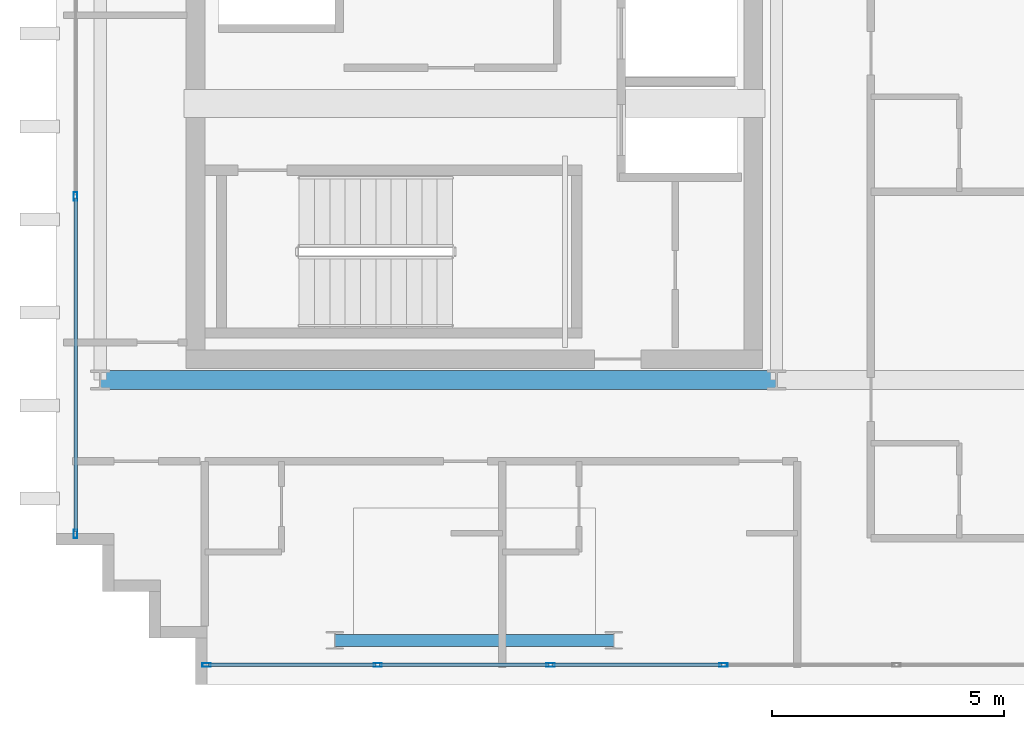
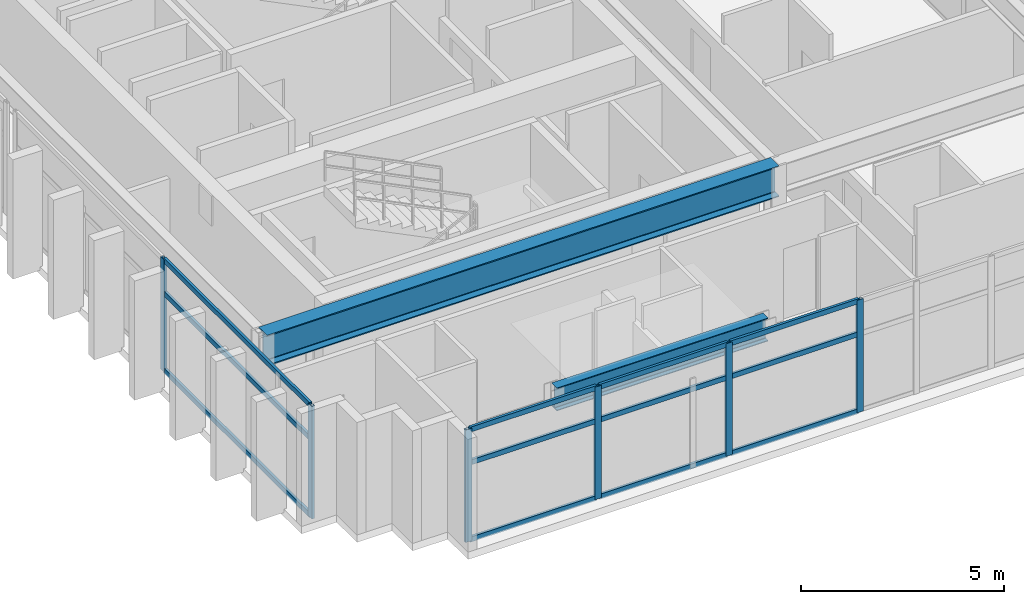
# One storey, part 2 of 15: 18 members, 2 beams, 2 elements without a shape of their own.
"""IFC4 building model written with IfcOpenShell, lengths in metres."""

from ifc_helpers import new_model, si_unit, direction, frame, origin, origin_2d, place, context, subcontext, project, spatial, hollow_rectangle, i_section, extrude, source, transform, mapped, material, layer, layer_set, material_profile, profile_set, type_object, element, aggregate, save


model = new_model("IFC4")

# Units and contexts
model_context = context("Model", 3, precision=1e-05, world=origin(), true_north=direction((0.0, 1.0)))
body_context = subcontext(model_context, "Body", "Model", "MODEL_VIEW")
ifc_project = project(units=[si_unit("LENGTHUNIT", "METRE"), si_unit("AREAUNIT", "SQUARE_METRE"), si_unit("VOLUMEUNIT", "CUBIC_METRE"), si_unit("PLANEANGLEUNIT", "RADIAN"), si_unit("MASSUNIT", "GRAM", prefix="KILO")], contexts=[model_context])

# Site, building, storey
site_placement = place(None, origin())
site = spatial("IfcSite", under=ifc_project, at=site_placement, CompositionType="ELEMENT")
building_placement = place(site_placement, origin())
building = spatial("IfcBuilding", under=site, at=building_placement, Name="Ocotamira Hotel", CompositionType="ELEMENT")
storey_placement = place(building_placement, frame((0.0, 0.0, 283.199951171875)))
storey = spatial("IfcBuildingStorey", under=building, at=storey_placement, Name="L72", CompositionType="ELEMENT", Elevation=283.199951171875)

# Beams
ifc_material_1 = material(Name="Steel ASTM A992 Grade 50", Category="steel")
ifc_material_profile_1 = material_profile(ifc_material_1, i_section(OverallWidth=0.41796875, OverallDepth=0.927001953125, WebThickness=0.019287109375, FlangeThickness=0.031982421875, FilletRadius=0.02392578125, at=origin_2d()), Name="W36X231")
ifc_profile_set_1 = profile_set([ifc_material_profile_1], Name="Steel ASTM A992 Grade 50")
beam_type_1 = type_object("IfcBeamType", Name="BM-GIRD-W36X231", PredefinedType="BEAM", material=ifc_profile_set_1)
shared_shape_1 = source(origin(), body_context, "Body", "SweptSolid", [
    extrude(i_section(OverallWidth=0.41796875, OverallDepth=0.927001953125, WebThickness=0.019287109375, FlangeThickness=0.031982421875, FilletRadius=0.02392578125, at=origin_2d()), origin(), (0.0, 0.0, 1.0), 14.550048828125),
])
beam_1_placement = place(storey_placement, frame((8.949951171875, 14.550048828125, 2.91650390625), z_axis=(1.0, 0.0, 0.0), x_axis=(0.0, 1.0, 0.0)))
element("IfcBeam", 1, at=beam_1_placement, inside=storey, type_object=beam_type_1, Name="L72 Girder Y14.55 X8.95-23.5", PredefinedType="BEAM", context=body_context, shape_type="MappedRepresentation", body=[
    mapped(shared_shape_1, transform((0.0, 0.0, 0.0), scale=1.0)),
])
ifc_material_profile_2 = material_profile(ifc_material_1, i_section(OverallWidth=0.256103515625, OverallDepth=0.693115234375, WebThickness=0.014404296875, FlangeThickness=0.023681640625, FilletRadius=0.01611328125, at=origin_2d()), Name="W27X114")
ifc_profile_set_2 = profile_set([ifc_material_profile_2], Name="Steel ASTM A992 Grade 50")
beam_type_2 = type_object("IfcBeamType", Name="BM-PRIM-W27X114", PredefinedType="BEAM", material=ifc_profile_set_2)
shared_shape_2 = source(origin(), body_context, "Body", "SweptSolid", [
    extrude(i_section(OverallWidth=0.256103515625, OverallDepth=0.693115234375, WebThickness=0.014404296875, FlangeThickness=0.023681640625, FilletRadius=0.01611328125, at=origin_2d()), origin(), (0.0, 0.0, 1.0), 6.0),
])
beam_2_placement = place(storey_placement, frame((14.0, 8.949951171875, 3.033447265625), z_axis=(1.0, 0.0, 0.0), x_axis=(0.0, 1.0, 0.0)))
element("IfcBeam", 2, at=beam_2_placement, inside=storey, type_object=beam_type_2, Name="L72 Girder Y8.95 X14-20", PredefinedType="BEAM", context=body_context, shape_type="MappedRepresentation", body=[
    mapped(shared_shape_2, transform((0.0, 0.0, 0.0), scale=1.0)),
])

# Curtain wall, members
ifc_material_2 = material(Name="Anodised pale-metal aluminium and solar glass", Category="aluminium")
ifc_layer = layer(ifc_material_2, 0.2099609375)
ifc_layer_set = layer_set([ifc_layer], Name="Anodised pale-metal aluminium and solar glass")
curtain_wall_type = type_object("IfcCurtainWallType", Name="CW-SYS7-PEAK", PredefinedType="NOTDEFINED", material=ifc_layer_set)
curtain_wall_1_placement = place(storey_placement, origin())
curtain_wall_1 = element("IfcCurtainWall", 3, at=curtain_wall_1_placement, inside=storey, type_object=curtain_wall_type, Name="L72 Curtain Wall CW-7 CW-L72-S1", PredefinedType="NOTDEFINED")
ifc_material_3 = material(Name="Anodised pale-metal aluminium 6063-T6", Category="aluminium")
ifc_material_profile_3 = material_profile(ifc_material_3, hollow_rectangle(XDim=0.080078125, YDim=0.179931640625, WallThickness=0.006103515625, at=origin_2d()), Name="HSS180X80X6")
ifc_profile_set_3 = profile_set([ifc_material_profile_3], Name="Anodised pale-metal aluminium 6063-T6")
member_type_1 = type_object("IfcMemberType", Name="CWM-180X75", PredefinedType="MULLION", material=ifc_profile_set_3)
shared_shape_3 = source(origin(), body_context, "Body", "SweptSolid", [
    extrude(hollow_rectangle(XDim=0.080078125, YDim=0.179931640625, WallThickness=0.006103515625, at=origin_2d()), origin(), (0.0, 0.0, 1.0), 3.380126953125),
])
member_1_placement = place(storey_placement, frame((11.239990234375, 8.419921875, 0.0), z_axis=(0.0, 0.0, 1.0), x_axis=(0.0, 1.0, 0.0)))
member_1 = element("IfcMember", 4, at=member_1_placement, type_object=member_type_1, Name="CW-7 mullion 1", PredefinedType="MULLION", context=body_context, shape_type="MappedRepresentation", body=[
    mapped(shared_shape_3, transform((0.0, 0.0, 0.0), scale=1.0)),
])
member_2_placement = place(storey_placement, frame((14.919921875, 8.419921875, 0.0), z_axis=(0.0, 0.0, 1.0), x_axis=(0.0, 1.0, 0.0)))
member_2 = element("IfcMember", 5, at=member_2_placement, type_object=member_type_1, Name="CW-7 mullion 2", PredefinedType="MULLION", context=body_context, shape_type="MappedRepresentation", body=[
    mapped(shared_shape_3, transform((0.0, 0.0, 0.0), scale=1.0)),
])
member_3_placement = place(storey_placement, frame((18.639892578125, 8.419921875, 0.0), z_axis=(0.0, 0.0, 1.0), x_axis=(0.0, 1.0, 0.0)))
member_3 = element("IfcMember", 6, at=member_3_placement, type_object=member_type_1, Name="CW-7 mullion 3", PredefinedType="MULLION", context=body_context, shape_type="MappedRepresentation", body=[
    mapped(shared_shape_3, transform((0.0, 0.0, 0.0), scale=1.0)),
])
member_4_placement = place(storey_placement, frame((22.360107421875, 8.419921875, 0.0), z_axis=(0.0, 0.0, 1.0), x_axis=(0.0, 1.0, 0.0)))
member_4 = element("IfcMember", 7, at=member_4_placement, type_object=member_type_1, Name="CW-7 mullion 4", PredefinedType="MULLION", context=body_context, shape_type="MappedRepresentation", body=[
    mapped(shared_shape_3, transform((0.0, 0.0, 0.0), scale=1.0)),
])

curtain_wall_2_placement = place(storey_placement, origin())
curtain_wall_2 = element("IfcCurtainWall", 8, at=curtain_wall_2_placement, inside=storey, type_object=curtain_wall_type, Name="L72 Curtain Wall CW-7 CW-L72-W1", PredefinedType="NOTDEFINED")
member_5_placement = place(storey_placement, frame((8.419921875, 11.239990234375, 0.0), z_axis=(0.0, 0.0, 1.0), x_axis=(-1.0, 0.0, 0.0)))
member_5 = element("IfcMember", 9, at=member_5_placement, type_object=member_type_1, Name="CW-7 mullion 1", PredefinedType="MULLION", context=body_context, shape_type="MappedRepresentation", body=[
    mapped(shared_shape_3, transform((0.0, 0.0, 0.0), scale=1.0)),
])
member_6_placement = place(storey_placement, frame((8.419921875, 18.5, 0.0), z_axis=(0.0, 0.0, 1.0), x_axis=(-1.0, 0.0, 0.0)))
member_6 = element("IfcMember", 10, at=member_6_placement, type_object=member_type_1, Name="CW-7 mullion 2", PredefinedType="MULLION", context=body_context, shape_type="MappedRepresentation", body=[
    mapped(shared_shape_3, transform((0.0, 0.0, 0.0), scale=1.0)),
])
ifc_material_profile_4 = material_profile(ifc_material_3, hollow_rectangle(XDim=0.074951171875, YDim=0.14990234375, WallThickness=0.006103515625, at=origin_2d()), Name="HSS150X75X6")
ifc_profile_set_4 = profile_set([ifc_material_profile_4], Name="Anodised pale-metal aluminium 6063-T6")
member_type_2 = type_object("IfcMemberType", Name="CWT-150X75", PredefinedType="USERDEFINED", material=ifc_profile_set_4)
shared_shape_4 = source(origin(), body_context, "Body", "SweptSolid", [
    extrude(hollow_rectangle(XDim=0.074951171875, YDim=0.14990234375, WallThickness=0.006103515625, at=origin_2d()), origin(), (0.0, 0.0, 1.0), 7.179931640625),
])
member_7_placement = place(storey_placement, frame((8.419921875, 11.280029296875, 0.03759765625), z_axis=(0.0, 1.0, 0.0), x_axis=(-1.0, 0.0, 0.0)))
member_7 = element("IfcMember", 11, at=member_7_placement, type_object=member_type_2, Name="CW-7 transom 1.1", ObjectType="TRANSOM", PredefinedType="USERDEFINED", context=body_context, shape_type="MappedRepresentation", body=[
    mapped(shared_shape_4, transform((0.0, 0.0, 0.0), scale=1.0)),
])
member_8_placement = place(storey_placement, frame((8.419921875, 11.280029296875, 2.35009765625), z_axis=(0.0, 1.0, 0.0), x_axis=(-1.0, 0.0, 0.0)))
member_8 = element("IfcMember", 12, at=member_8_placement, type_object=member_type_2, Name="CW-7 transom 1.2", ObjectType="TRANSOM", PredefinedType="USERDEFINED", context=body_context, shape_type="MappedRepresentation", body=[
    mapped(shared_shape_4, transform((0.0, 0.0, 0.0), scale=1.0)),
])
member_9_placement = place(storey_placement, frame((8.419921875, 11.280029296875, 3.342529296875), z_axis=(0.0, 1.0, 0.0), x_axis=(-1.0, 0.0, 0.0)))
member_9 = element("IfcMember", 13, at=member_9_placement, type_object=member_type_2, Name="CW-7 transom 1.3", ObjectType="TRANSOM", PredefinedType="USERDEFINED", context=body_context, shape_type="MappedRepresentation", body=[
    mapped(shared_shape_4, transform((0.0, 0.0, 0.0), scale=1.0)),
])
aggregate(curtain_wall_2, [member_5, member_6, member_7, member_8, member_9])

# Member
shared_shape_5 = source(origin(), body_context, "Body", "SweptSolid", [
    extrude(hollow_rectangle(XDim=0.074951171875, YDim=0.14990234375, WallThickness=0.006103515625, at=origin_2d()), origin(), (0.0, 0.0, 1.0), 3.599853515625),
])
member_10_placement = place(storey_placement, frame((11.280029296875, 8.419921875, 0.03759765625), z_axis=(1.0, 0.0, 0.0), x_axis=(0.0, 1.0, 0.0)))
member_10 = element("IfcMember", 14, at=member_10_placement, type_object=member_type_2, Name="CW-7 transom 1.1", ObjectType="TRANSOM", PredefinedType="USERDEFINED", context=body_context, shape_type="MappedRepresentation", body=[
    mapped(shared_shape_5, transform((0.0, 0.0, 0.0), scale=1.0)),
])

member_11_placement = place(storey_placement, frame((11.280029296875, 8.419921875, 2.35009765625), z_axis=(1.0, 0.0, 0.0), x_axis=(0.0, 1.0, 0.0)))
member_11 = element("IfcMember", 15, at=member_11_placement, type_object=member_type_2, Name="CW-7 transom 1.2", ObjectType="TRANSOM", PredefinedType="USERDEFINED", context=body_context, shape_type="MappedRepresentation", body=[
    mapped(shared_shape_5, transform((0.0, 0.0, 0.0), scale=1.0)),
])

member_12_placement = place(storey_placement, frame((11.280029296875, 8.419921875, 3.342529296875), z_axis=(1.0, 0.0, 0.0), x_axis=(0.0, 1.0, 0.0)))
member_12 = element("IfcMember", 16, at=member_12_placement, type_object=member_type_2, Name="CW-7 transom 1.3", ObjectType="TRANSOM", PredefinedType="USERDEFINED", context=body_context, shape_type="MappedRepresentation", body=[
    mapped(shared_shape_5, transform((0.0, 0.0, 0.0), scale=1.0)),
])

shared_shape_6 = source(origin(), body_context, "Body", "SweptSolid", [
    extrude(hollow_rectangle(XDim=0.074951171875, YDim=0.14990234375, WallThickness=0.006103515625, at=origin_2d()), origin(), (0.0, 0.0, 1.0), 3.64013671875),
])
member_13_placement = place(storey_placement, frame((14.9599609375, 8.419921875, 0.03759765625), z_axis=(1.0, 0.0, 0.0), x_axis=(0.0, 1.0, 0.0)))
member_13 = element("IfcMember", 17, at=member_13_placement, type_object=member_type_2, Name="CW-7 transom 2.1", ObjectType="TRANSOM", PredefinedType="USERDEFINED", context=body_context, shape_type="MappedRepresentation", body=[
    mapped(shared_shape_6, transform((0.0, 0.0, 0.0), scale=1.0)),
])

member_14_placement = place(storey_placement, frame((14.9599609375, 8.419921875, 2.35009765625), z_axis=(1.0, 0.0, 0.0), x_axis=(0.0, 1.0, 0.0)))
member_14 = element("IfcMember", 18, at=member_14_placement, type_object=member_type_2, Name="CW-7 transom 2.2", ObjectType="TRANSOM", PredefinedType="USERDEFINED", context=body_context, shape_type="MappedRepresentation", body=[
    mapped(shared_shape_6, transform((0.0, 0.0, 0.0), scale=1.0)),
])

member_15_placement = place(storey_placement, frame((14.9599609375, 8.419921875, 3.342529296875), z_axis=(1.0, 0.0, 0.0), x_axis=(0.0, 1.0, 0.0)))
member_15 = element("IfcMember", 19, at=member_15_placement, type_object=member_type_2, Name="CW-7 transom 2.3", ObjectType="TRANSOM", PredefinedType="USERDEFINED", context=body_context, shape_type="MappedRepresentation", body=[
    mapped(shared_shape_6, transform((0.0, 0.0, 0.0), scale=1.0)),
])

member_16_placement = place(storey_placement, frame((18.679931640625, 8.419921875, 0.03759765625), z_axis=(1.0, 0.0, 0.0), x_axis=(0.0, 1.0, 0.0)))
member_16 = element("IfcMember", 20, at=member_16_placement, type_object=member_type_2, Name="CW-7 transom 3.1", ObjectType="TRANSOM", PredefinedType="USERDEFINED", context=body_context, shape_type="MappedRepresentation", body=[
    mapped(shared_shape_6, transform((0.0, 0.0, 0.0), scale=1.0)),
])

member_17_placement = place(storey_placement, frame((18.679931640625, 8.419921875, 2.35009765625), z_axis=(1.0, 0.0, 0.0), x_axis=(0.0, 1.0, 0.0)))
member_17 = element("IfcMember", 21, at=member_17_placement, type_object=member_type_2, Name="CW-7 transom 3.2", ObjectType="TRANSOM", PredefinedType="USERDEFINED", context=body_context, shape_type="MappedRepresentation", body=[
    mapped(shared_shape_6, transform((0.0, 0.0, 0.0), scale=1.0)),
])

member_18_placement = place(storey_placement, frame((18.679931640625, 8.419921875, 3.342529296875), z_axis=(1.0, 0.0, 0.0), x_axis=(0.0, 1.0, 0.0)))
member_18 = element("IfcMember", 22, at=member_18_placement, type_object=member_type_2, Name="CW-7 transom 3.3", ObjectType="TRANSOM", PredefinedType="USERDEFINED", context=body_context, shape_type="MappedRepresentation", body=[
    mapped(shared_shape_6, transform((0.0, 0.0, 0.0), scale=1.0)),
])

aggregate(curtain_wall_1, [member_1, member_2, member_3, member_4, member_10, member_11, member_12, member_13, member_14, member_15, member_16, member_17, member_18])

save(model, "model.ifc")
